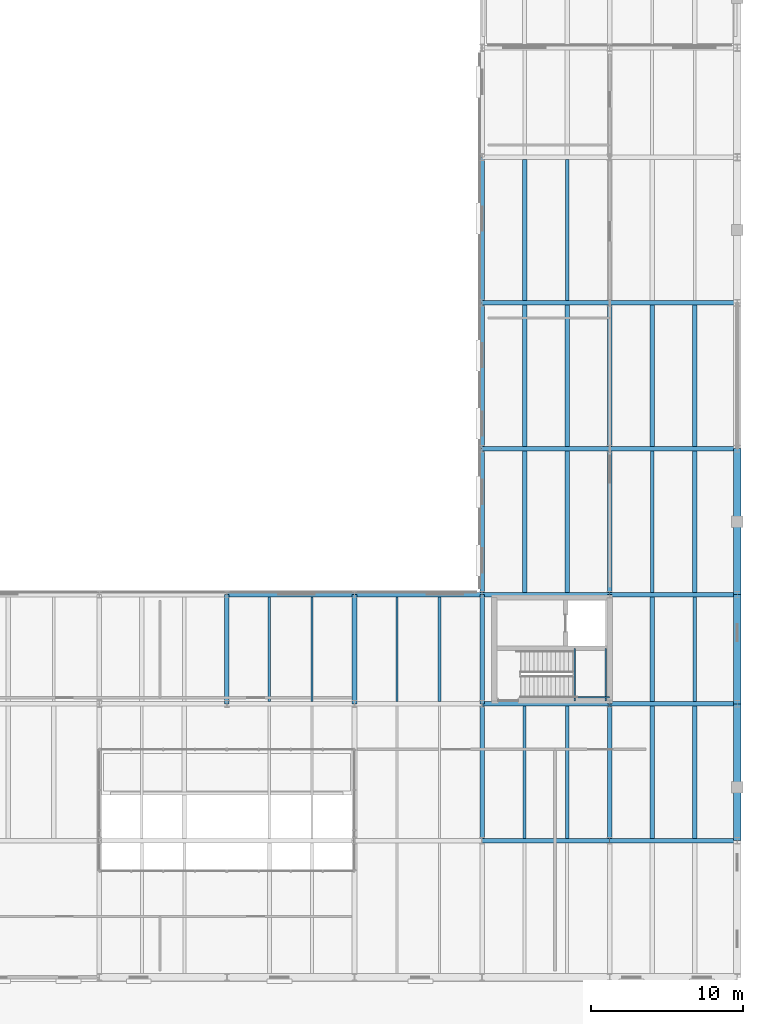
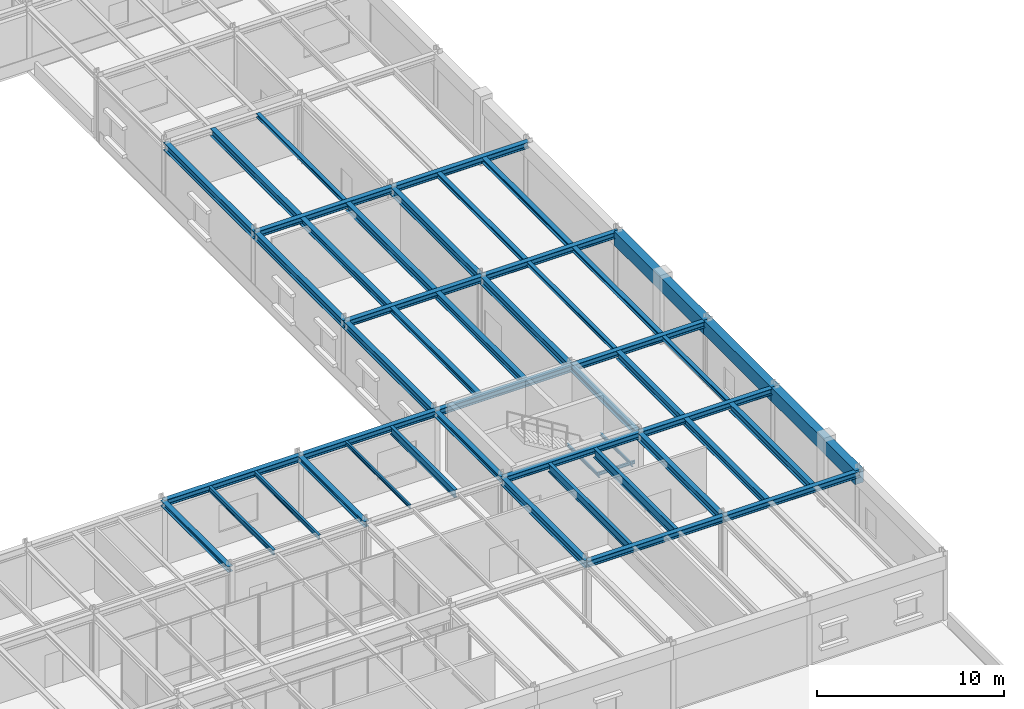
# One storey, part 33 of 64: 49 beams.
"""IFC4 building model written with IfcOpenShell, lengths in metres."""

from ifc_helpers import new_model, si_unit, direction, frame, origin, origin_2d, place, context, subcontext, project, spatial, rectangle, i_section, extrude, material, material_profile, profile_set, type_object, element, save


model = new_model("IFC4")

# Units and contexts
model_context = context("Model", 3, precision=1e-05, world=origin(), true_north=direction((0.0, 1.0)))
body_context = subcontext(model_context, "Body", "Model", "MODEL_VIEW")
ifc_project = project(units=[si_unit("LENGTHUNIT", "METRE"), si_unit("AREAUNIT", "SQUARE_METRE"), si_unit("VOLUMEUNIT", "CUBIC_METRE"), si_unit("PLANEANGLEUNIT", "RADIAN"), si_unit("MASSUNIT", "GRAM", prefix="KILO")], contexts=[model_context])

# Site, building, storey
site_placement = place(None, origin())
site = spatial("IfcSite", under=ifc_project, at=site_placement, CompositionType="ELEMENT")
building_placement = place(site_placement, origin())
building = spatial("IfcBuilding", under=site, at=building_placement, Name="Montealbar Specialist Clinic", CompositionType="ELEMENT")
storey_placement = place(building_placement, frame((0.0, 0.0, 5.10009765625)))
storey = spatial("IfcBuildingStorey", under=building, at=storey_placement, Name="L01", CompositionType="ELEMENT", Elevation=5.10009765625)

# Beams
ifc_material_1 = material(Name="Precast concrete C40/50", Category="concrete")
ifc_material_profile_1 = material_profile(ifc_material_1, rectangle(XDim=0.5, YDim=0.89990234375, at=origin_2d()), Name="PRECAST CORNICE 500x900", Category="concrete")
ifc_profile_set_1 = profile_set([ifc_material_profile_1], Name="Precast concrete C40/50")
beam_type_1 = type_object("IfcBeamType", Name="BM-CORNICE-PM900-EXT", PredefinedType="SPANDREL", material=ifc_profile_set_1)
beam_1_placement = place(storey_placement, frame((162.0, 36.0, 3.77001953125), z_axis=(0.0, 1.0, 0.0), x_axis=(-1.0, 0.0, 0.0)))
element("IfcBeam", 1, at=beam_1_placement, inside=storey, type_object=beam_type_1, Name="Postmodern Entablature Cornice L01 X=162.0 Y=36.0-45.0", PredefinedType="SPANDREL", context=body_context, shape_type="SweptSolid", body=[
    extrude(rectangle(XDim=0.5, YDim=0.89990234375, at=origin_2d()), origin(), (0.0, 0.0, 1.0), 9.0),
])
beam_2_placement = place(storey_placement, frame((162.0, 45.0, 3.77001953125), z_axis=(0.0, 1.0, 0.0), x_axis=(-1.0, 0.0, 0.0)))
element("IfcBeam", 2, at=beam_2_placement, inside=storey, type_object=beam_type_1, Name="Postmodern Entablature Cornice L01 X=162.0 Y=45.0-52.2", PredefinedType="SPANDREL", context=body_context, shape_type="SweptSolid", body=[
    extrude(rectangle(XDim=0.5, YDim=0.89990234375, at=origin_2d()), origin(), (0.0, 0.0, 1.0), 7.199951171875),
])
beam_3_placement = place(storey_placement, frame((162.0, 52.199951171875, 3.77001953125), z_axis=(0.0, 1.0, 0.0), x_axis=(-1.0, 0.0, 0.0)))
element("IfcBeam", 3, at=beam_3_placement, inside=storey, type_object=beam_type_1, Name="Postmodern Entablature Cornice L01 X=162.0 Y=52.2-61.8", PredefinedType="SPANDREL", context=body_context, shape_type="SweptSolid", body=[
    extrude(rectangle(XDim=0.5, YDim=0.89990234375, at=origin_2d()), origin(), (0.0, 0.0, 1.0), 9.60009765625),
])
ifc_material_2 = material(Name="Steel S355", Category="steel")
ifc_material_profile_2 = material_profile(ifc_material_2, i_section(OverallWidth=0.300048828125, OverallDepth=0.360107421875, WebThickness=0.012451171875, FlangeThickness=0.0224609375, FilletRadius=0.027099609375, at=origin_2d()), Name="HEB 360", Category="steel")
ifc_profile_set_2 = profile_set([ifc_material_profile_2], Name="Steel S355")
beam_type_2 = type_object("IfcBeamType", Name="BM-GIRD-HEB360", PredefinedType="BEAM", material=ifc_profile_set_2)
for number, where, z_axis, x_axis, name in (
    (4, (136.800048828125, 45.0, 4.039794921875), (0.0, 1.0, 0.0), (-1.0, 0.0, 0.0), "Beam GY-L01-1368-450-522"),
    (5, (145.199951171875, 45.0, 4.039794921875), (0.0, 1.0, 0.0), (-1.0, 0.0, 0.0), "Beam GY-L01-1452-450-522"),
    (6, (153.60009765625, 45.0, 4.039794921875), (0.0, 1.0, 0.0), (-1.0, 0.0, 0.0), "Beam GY-L01-1536-450-522"),
):
    element("IfcBeam", number, at=place(storey_placement, frame(where, z_axis=z_axis, x_axis=x_axis)), inside=storey, type_object=beam_type_2, Name=name, PredefinedType="BEAM", context=body_context, shape_type="SweptSolid", body=[
        extrude(i_section(OverallWidth=0.300048828125, OverallDepth=0.360107421875, WebThickness=0.012451171875, FlangeThickness=0.0224609375, FilletRadius=0.027099609375, at=origin_2d()), origin(), (0.0, 0.0, 1.0), 7.199951171875),
    ])
ifc_material_profile_3 = material_profile(ifc_material_2, i_section(OverallWidth=0.300048828125, OverallDepth=0.360107421875, WebThickness=0.012451171875, FlangeThickness=0.0224609375, FilletRadius=0.027099609375, at=origin_2d()), Name="HEB 360", Category="steel")
ifc_profile_set_3 = profile_set([ifc_material_profile_3], Name="Steel S355")
beam_type_3 = type_object("IfcBeamType", Name="BM-GIRD-HEB360-EXT", PredefinedType="BEAM", material=ifc_profile_set_3)
beam_4_placement = place(storey_placement, frame((128.39990234375, 45.0, 4.039794921875), z_axis=(0.0, 1.0, 0.0), x_axis=(-1.0, 0.0, 0.0)))
element("IfcBeam", 7, at=beam_4_placement, inside=storey, type_object=beam_type_3, Name="Beam GY-L01-1284-450-522", PredefinedType="BEAM", context=body_context, shape_type="SweptSolid", body=[
    extrude(i_section(OverallWidth=0.300048828125, OverallDepth=0.360107421875, WebThickness=0.012451171875, FlangeThickness=0.0224609375, FilletRadius=0.027099609375, at=origin_2d()), origin(), (0.0, 0.0, 1.0), 7.199951171875),
])
ifc_material_profile_4 = material_profile(ifc_material_2, i_section(OverallWidth=0.300048828125, OverallDepth=0.39990234375, WebThickness=0.013427734375, FlangeThickness=0.02392578125, FilletRadius=0.027099609375, at=origin_2d()), Name="HEB 400", Category="steel")
ifc_profile_set_4 = profile_set([ifc_material_profile_4], Name="Steel S355")
beam_type_4 = type_object("IfcBeamType", Name="BM-GIRD-HEB400", PredefinedType="BEAM", material=ifc_profile_set_4)
beam_5_placement = place(storey_placement, frame((145.199951171875, 36.0, 4.02001953125), z_axis=(1.0, 0.0, 0.0), x_axis=(0.0, 1.0, 0.0)))
element("IfcBeam", 8, at=beam_5_placement, inside=storey, type_object=beam_type_4, Name="Beam GX-L01-1452-1536-360", PredefinedType="BEAM", context=body_context, shape_type="SweptSolid", body=[
    extrude(i_section(OverallWidth=0.300048828125, OverallDepth=0.39990234375, WebThickness=0.013427734375, FlangeThickness=0.02392578125, FilletRadius=0.027099609375, at=origin_2d()), origin(), (0.0, 0.0, 1.0), 8.400146484375),
])
beam_6_placement = place(storey_placement, frame((153.60009765625, 36.0, 4.02001953125), z_axis=(1.0, 0.0, 0.0), x_axis=(0.0, 1.0, 0.0)))
element("IfcBeam", 9, at=beam_6_placement, inside=storey, type_object=beam_type_4, Name="Beam GX-L01-1536-1620-360", PredefinedType="BEAM", context=body_context, shape_type="SweptSolid", body=[
    extrude(i_section(OverallWidth=0.300048828125, OverallDepth=0.39990234375, WebThickness=0.013427734375, FlangeThickness=0.02392578125, FilletRadius=0.027099609375, at=origin_2d()), origin(), (0.0, 0.0, 1.0), 8.39990234375),
])
beam_7_placement = place(storey_placement, frame((145.199951171875, 45.0, 4.02001953125), z_axis=(1.0, 0.0, 0.0), x_axis=(0.0, 1.0, 0.0)))
element("IfcBeam", 10, at=beam_7_placement, inside=storey, type_object=beam_type_4, Name="Beam GX-L01-1452-1536-450", PredefinedType="BEAM", context=body_context, shape_type="SweptSolid", body=[
    extrude(i_section(OverallWidth=0.300048828125, OverallDepth=0.39990234375, WebThickness=0.013427734375, FlangeThickness=0.02392578125, FilletRadius=0.027099609375, at=origin_2d()), origin(), (0.0, 0.0, 1.0), 8.400146484375),
])
beam_8_placement = place(storey_placement, frame((153.60009765625, 45.0, 4.02001953125), z_axis=(1.0, 0.0, 0.0), x_axis=(0.0, 1.0, 0.0)))
element("IfcBeam", 11, at=beam_8_placement, inside=storey, type_object=beam_type_4, Name="Beam GX-L01-1536-1620-450", PredefinedType="BEAM", context=body_context, shape_type="SweptSolid", body=[
    extrude(i_section(OverallWidth=0.300048828125, OverallDepth=0.39990234375, WebThickness=0.013427734375, FlangeThickness=0.02392578125, FilletRadius=0.027099609375, at=origin_2d()), origin(), (0.0, 0.0, 1.0), 8.39990234375),
])
beam_9_placement = place(storey_placement, frame((145.199951171875, 52.199951171875, 4.02001953125), z_axis=(1.0, 0.0, 0.0), x_axis=(0.0, 1.0, 0.0)))
element("IfcBeam", 12, at=beam_9_placement, inside=storey, type_object=beam_type_4, Name="Beam GX-L01-1452-1536-522", PredefinedType="BEAM", context=body_context, shape_type="SweptSolid", body=[
    extrude(i_section(OverallWidth=0.300048828125, OverallDepth=0.39990234375, WebThickness=0.013427734375, FlangeThickness=0.02392578125, FilletRadius=0.027099609375, at=origin_2d()), origin(), (0.0, 0.0, 1.0), 8.400146484375),
])
beam_10_placement = place(storey_placement, frame((153.60009765625, 52.199951171875, 4.02001953125), z_axis=(1.0, 0.0, 0.0), x_axis=(0.0, 1.0, 0.0)))
element("IfcBeam", 13, at=beam_10_placement, inside=storey, type_object=beam_type_4, Name="Beam GX-L01-1536-1620-522", PredefinedType="BEAM", context=body_context, shape_type="SweptSolid", body=[
    extrude(i_section(OverallWidth=0.300048828125, OverallDepth=0.39990234375, WebThickness=0.013427734375, FlangeThickness=0.02392578125, FilletRadius=0.027099609375, at=origin_2d()), origin(), (0.0, 0.0, 1.0), 8.39990234375),
])
beam_11_placement = place(storey_placement, frame((145.199951171875, 61.800048828125, 4.02001953125), z_axis=(1.0, 0.0, 0.0), x_axis=(0.0, 1.0, 0.0)))
element("IfcBeam", 14, at=beam_11_placement, inside=storey, type_object=beam_type_4, Name="Beam GX-L01-1452-1536-618", PredefinedType="BEAM", context=body_context, shape_type="SweptSolid", body=[
    extrude(i_section(OverallWidth=0.300048828125, OverallDepth=0.39990234375, WebThickness=0.013427734375, FlangeThickness=0.02392578125, FilletRadius=0.027099609375, at=origin_2d()), origin(), (0.0, 0.0, 1.0), 8.400146484375),
])
beam_12_placement = place(storey_placement, frame((153.60009765625, 61.800048828125, 4.02001953125), z_axis=(1.0, 0.0, 0.0), x_axis=(0.0, 1.0, 0.0)))
element("IfcBeam", 15, at=beam_12_placement, inside=storey, type_object=beam_type_4, Name="Beam GX-L01-1536-1620-618", PredefinedType="BEAM", context=body_context, shape_type="SweptSolid", body=[
    extrude(i_section(OverallWidth=0.300048828125, OverallDepth=0.39990234375, WebThickness=0.013427734375, FlangeThickness=0.02392578125, FilletRadius=0.027099609375, at=origin_2d()), origin(), (0.0, 0.0, 1.0), 8.39990234375),
])
beam_13_placement = place(storey_placement, frame((145.199951171875, 71.39990234375, 4.02001953125), z_axis=(1.0, 0.0, 0.0), x_axis=(0.0, 1.0, 0.0)))
element("IfcBeam", 16, at=beam_13_placement, inside=storey, type_object=beam_type_4, Name="Beam GX-L01-1452-1536-714", PredefinedType="BEAM", context=body_context, shape_type="SweptSolid", body=[
    extrude(i_section(OverallWidth=0.300048828125, OverallDepth=0.39990234375, WebThickness=0.013427734375, FlangeThickness=0.02392578125, FilletRadius=0.027099609375, at=origin_2d()), origin(), (0.0, 0.0, 1.0), 8.400146484375),
])
beam_14_placement = place(storey_placement, frame((153.60009765625, 71.39990234375, 4.02001953125), z_axis=(1.0, 0.0, 0.0), x_axis=(0.0, 1.0, 0.0)))
element("IfcBeam", 17, at=beam_14_placement, inside=storey, type_object=beam_type_4, Name="Beam GX-L01-1536-1620-714", PredefinedType="BEAM", context=body_context, shape_type="SweptSolid", body=[
    extrude(i_section(OverallWidth=0.300048828125, OverallDepth=0.39990234375, WebThickness=0.013427734375, FlangeThickness=0.02392578125, FilletRadius=0.027099609375, at=origin_2d()), origin(), (0.0, 0.0, 1.0), 8.39990234375),
])
ifc_material_profile_5 = material_profile(ifc_material_2, i_section(OverallWidth=0.300048828125, OverallDepth=0.39990234375, WebThickness=0.013427734375, FlangeThickness=0.02392578125, FilletRadius=0.027099609375, at=origin_2d()), Name="HEB 400", Category="steel")
ifc_profile_set_5 = profile_set([ifc_material_profile_5], Name="Steel S355")
beam_type_5 = type_object("IfcBeamType", Name="BM-GIRD-HEB400-EXT", PredefinedType="BEAM", material=ifc_profile_set_5)
beam_15_placement = place(storey_placement, frame((128.39990234375, 52.199951171875, 4.02001953125), z_axis=(1.0, 0.0, 0.0), x_axis=(0.0, 1.0, 0.0)))
element("IfcBeam", 18, at=beam_15_placement, inside=storey, type_object=beam_type_5, Name="Beam GX-L01-1284-1368-522", PredefinedType="BEAM", context=body_context, shape_type="SweptSolid", body=[
    extrude(i_section(OverallWidth=0.300048828125, OverallDepth=0.39990234375, WebThickness=0.013427734375, FlangeThickness=0.02392578125, FilletRadius=0.027099609375, at=origin_2d()), origin(), (0.0, 0.0, 1.0), 8.400146484375),
])
beam_16_placement = place(storey_placement, frame((136.800048828125, 52.199951171875, 4.02001953125), z_axis=(1.0, 0.0, 0.0), x_axis=(0.0, 1.0, 0.0)))
element("IfcBeam", 19, at=beam_16_placement, inside=storey, type_object=beam_type_5, Name="Beam GX-L01-1368-1452-522", PredefinedType="BEAM", context=body_context, shape_type="SweptSolid", body=[
    extrude(i_section(OverallWidth=0.300048828125, OverallDepth=0.39990234375, WebThickness=0.013427734375, FlangeThickness=0.02392578125, FilletRadius=0.027099609375, at=origin_2d()), origin(), (0.0, 0.0, 1.0), 8.39990234375),
])
ifc_material_profile_6 = material_profile(ifc_material_2, i_section(OverallWidth=0.300048828125, OverallDepth=0.5, WebThickness=0.014404296875, FlangeThickness=0.028076171875, FilletRadius=0.027099609375, at=origin_2d()), Name="HEB 500", Category="steel")
ifc_profile_set_6 = profile_set([ifc_material_profile_6], Name="Steel S355")
beam_type_6 = type_object("IfcBeamType", Name="BM-GIRD-HEB500", PredefinedType="BEAM", material=ifc_profile_set_6)
for number, where, z_axis, x_axis, name in (
    (20, (145.199951171875, 36.0, 3.969970703125), (0.0, 1.0, 0.0), (-1.0, 0.0, 0.0), "Beam GY-L01-1452-360-450"),
    (21, (153.60009765625, 36.0, 3.969970703125), (0.0, 1.0, 0.0), (-1.0, 0.0, 0.0), "Beam GY-L01-1536-360-450"),
):
    element("IfcBeam", number, at=place(storey_placement, frame(where, z_axis=z_axis, x_axis=x_axis)), inside=storey, type_object=beam_type_6, Name=name, PredefinedType="BEAM", context=body_context, shape_type="SweptSolid", body=[
        extrude(i_section(OverallWidth=0.300048828125, OverallDepth=0.5, WebThickness=0.014404296875, FlangeThickness=0.028076171875, FilletRadius=0.027099609375, at=origin_2d()), origin(), (0.0, 0.0, 1.0), 9.0),
    ])
beam_17_placement = place(storey_placement, frame((153.60009765625, 52.199951171875, 3.969970703125), z_axis=(0.0, 1.0, 0.0), x_axis=(-1.0, 0.0, 0.0)))
element("IfcBeam", 22, at=beam_17_placement, inside=storey, type_object=beam_type_6, Name="Beam GY-L01-1536-522-618", PredefinedType="BEAM", context=body_context, shape_type="SweptSolid", body=[
    extrude(i_section(OverallWidth=0.300048828125, OverallDepth=0.5, WebThickness=0.014404296875, FlangeThickness=0.028076171875, FilletRadius=0.027099609375, at=origin_2d()), origin(), (0.0, 0.0, 1.0), 9.60009765625),
])
beam_18_placement = place(storey_placement, frame((153.60009765625, 61.800048828125, 3.969970703125), z_axis=(0.0, 1.0, 0.0), x_axis=(-1.0, 0.0, 0.0)))
element("IfcBeam", 23, at=beam_18_placement, inside=storey, type_object=beam_type_6, Name="Beam GY-L01-1536-618-714", PredefinedType="BEAM", context=body_context, shape_type="SweptSolid", body=[
    extrude(i_section(OverallWidth=0.300048828125, OverallDepth=0.5, WebThickness=0.014404296875, FlangeThickness=0.028076171875, FilletRadius=0.027099609375, at=origin_2d()), origin(), (0.0, 0.0, 1.0), 9.599853515625),
])
ifc_material_profile_7 = material_profile(ifc_material_2, i_section(OverallWidth=0.300048828125, OverallDepth=0.5, WebThickness=0.014404296875, FlangeThickness=0.028076171875, FilletRadius=0.027099609375, at=origin_2d()), Name="HEB 500", Category="steel")
ifc_profile_set_7 = profile_set([ifc_material_profile_7], Name="Steel S355")
beam_type_7 = type_object("IfcBeamType", Name="BM-GIRD-HEB500-EXT", PredefinedType="BEAM", material=ifc_profile_set_7)
beam_19_placement = place(storey_placement, frame((145.199951171875, 52.199951171875, 3.969970703125), z_axis=(0.0, 1.0, 0.0), x_axis=(-1.0, 0.0, 0.0)))
element("IfcBeam", 24, at=beam_19_placement, inside=storey, type_object=beam_type_7, Name="Beam GY-L01-1452-522-618", PredefinedType="BEAM", context=body_context, shape_type="SweptSolid", body=[
    extrude(i_section(OverallWidth=0.300048828125, OverallDepth=0.5, WebThickness=0.014404296875, FlangeThickness=0.028076171875, FilletRadius=0.027099609375, at=origin_2d()), origin(), (0.0, 0.0, 1.0), 9.60009765625),
])
beam_20_placement = place(storey_placement, frame((145.199951171875, 61.800048828125, 3.969970703125), z_axis=(0.0, 1.0, 0.0), x_axis=(-1.0, 0.0, 0.0)))
element("IfcBeam", 25, at=beam_20_placement, inside=storey, type_object=beam_type_7, Name="Beam GY-L01-1452-618-714", PredefinedType="BEAM", context=body_context, shape_type="SweptSolid", body=[
    extrude(i_section(OverallWidth=0.300048828125, OverallDepth=0.5, WebThickness=0.014404296875, FlangeThickness=0.028076171875, FilletRadius=0.027099609375, at=origin_2d()), origin(), (0.0, 0.0, 1.0), 9.599853515625),
])
beam_21_placement = place(storey_placement, frame((145.199951171875, 71.39990234375, 3.969970703125), z_axis=(0.0, 1.0, 0.0), x_axis=(-1.0, 0.0, 0.0)))
element("IfcBeam", 26, at=beam_21_placement, inside=storey, type_object=beam_type_7, Name="Beam GY-L01-1452-714-810", PredefinedType="BEAM", context=body_context, shape_type="SweptSolid", body=[
    extrude(i_section(OverallWidth=0.300048828125, OverallDepth=0.5, WebThickness=0.014404296875, FlangeThickness=0.028076171875, FilletRadius=0.027099609375, at=origin_2d()), origin(), (0.0, 0.0, 1.0), 9.60009765625),
])
ifc_material_profile_8 = material_profile(ifc_material_2, i_section(OverallWidth=0.300048828125, OverallDepth=0.35009765625, WebThickness=0.010009765625, FlangeThickness=0.017578125, FilletRadius=0.027099609375, at=origin_2d()), Name="HEA 360", Category="steel")
ifc_profile_set_8 = profile_set([ifc_material_profile_8], Name="Steel S355")
beam_type_8 = type_object("IfcBeamType", Name="BM-JST-HEA360", PredefinedType="JOIST", material=ifc_profile_set_8)
beam_22_placement = place(storey_placement, frame((148.0, 52.35009765625, 4.044921875), z_axis=(0.0, 1.0, 0.0), x_axis=(-1.0, 0.0, 0.0)))
element("IfcBeam", 27, at=beam_22_placement, inside=storey, type_object=beam_type_8, Name="Beam JST-L01-1480-524-616", PredefinedType="JOIST", context=body_context, shape_type="SweptSolid", body=[
    extrude(i_section(OverallWidth=0.300048828125, OverallDepth=0.35009765625, WebThickness=0.010009765625, FlangeThickness=0.017578125, FilletRadius=0.027099609375, at=origin_2d()), origin(), (0.0, 0.0, 1.0), 9.2998046875),
])
ifc_material_profile_9 = material_profile(ifc_material_2, i_section(OverallWidth=0.300048828125, OverallDepth=0.43994140625, WebThickness=0.011474609375, FlangeThickness=0.02099609375, FilletRadius=0.027099609375, at=origin_2d()), Name="HEA 450", Category="steel")
ifc_profile_set_9 = profile_set([ifc_material_profile_9], Name="Steel S355")
beam_type_9 = type_object("IfcBeamType", Name="BM-JST-HEA450", PredefinedType="JOIST", material=ifc_profile_set_9)
beam_23_placement = place(storey_placement, frame((150.800048828125, 52.35009765625, 4.0), z_axis=(0.0, 1.0, 0.0), x_axis=(-1.0, 0.0, 0.0)))
element("IfcBeam", 28, at=beam_23_placement, inside=storey, type_object=beam_type_9, Name="Beam JST-L01-1508-524-616", PredefinedType="JOIST", context=body_context, shape_type="SweptSolid", body=[
    extrude(i_section(OverallWidth=0.300048828125, OverallDepth=0.43994140625, WebThickness=0.011474609375, FlangeThickness=0.02099609375, FilletRadius=0.027099609375, at=origin_2d()), origin(), (0.0, 0.0, 1.0), 9.2998046875),
])
beam_24_placement = place(storey_placement, frame((148.0, 61.949951171875, 4.0), z_axis=(0.0, 1.0, 0.0), x_axis=(-1.0, 0.0, 0.0)))
element("IfcBeam", 29, at=beam_24_placement, inside=storey, type_object=beam_type_9, Name="Beam JST-L01-1480-620-712", PredefinedType="JOIST", context=body_context, shape_type="SweptSolid", body=[
    extrude(i_section(OverallWidth=0.300048828125, OverallDepth=0.43994140625, WebThickness=0.011474609375, FlangeThickness=0.02099609375, FilletRadius=0.027099609375, at=origin_2d()), origin(), (0.0, 0.0, 1.0), 9.300048828125),
])
beam_25_placement = place(storey_placement, frame((156.39990234375, 36.14990234375, 4.0), z_axis=(0.0, 1.0, 0.0), x_axis=(-1.0, 0.0, 0.0)))
element("IfcBeam", 30, at=beam_25_placement, inside=storey, type_object=beam_type_9, Name="Beam JST-L01-1564-362-448", PredefinedType="JOIST", context=body_context, shape_type="SweptSolid", body=[
    extrude(i_section(OverallWidth=0.300048828125, OverallDepth=0.43994140625, WebThickness=0.011474609375, FlangeThickness=0.02099609375, FilletRadius=0.027099609375, at=origin_2d()), origin(), (0.0, 0.0, 1.0), 8.7001953125),
])
ifc_material_profile_10 = material_profile(ifc_material_2, i_section(OverallWidth=0.300048828125, OverallDepth=0.489990234375, WebThickness=0.011962890625, FlangeThickness=0.02294921875, FilletRadius=0.027099609375, at=origin_2d()), Name="HEA 500", Category="steel")
ifc_profile_set_10 = profile_set([ifc_material_profile_10], Name="Steel S355")
beam_type_10 = type_object("IfcBeamType", Name="BM-JST-HEA500", PredefinedType="JOIST", material=ifc_profile_set_10)
for number, where, z_axis, x_axis, name in (
    (31, (150.800048828125, 61.949951171875, 3.974853515625), (0.0, 1.0, 0.0), (-1.0, 0.0, 0.0), "Beam JST-L01-1508-620-712"),
    (32, (148.0, 71.550048828125, 3.974853515625), (0.0, 1.0, 0.0), (-1.0, 0.0, 0.0), "Beam JST-L01-1480-716-808"),
):
    element("IfcBeam", number, at=place(storey_placement, frame(where, z_axis=z_axis, x_axis=x_axis)), inside=storey, type_object=beam_type_10, Name=name, PredefinedType="JOIST", context=body_context, shape_type="SweptSolid", body=[
        extrude(i_section(OverallWidth=0.300048828125, OverallDepth=0.489990234375, WebThickness=0.011962890625, FlangeThickness=0.02294921875, FilletRadius=0.027099609375, at=origin_2d()), origin(), (0.0, 0.0, 1.0), 9.300048828125),
    ])
beam_26_placement = place(storey_placement, frame((159.199951171875, 36.14990234375, 3.974853515625), z_axis=(0.0, 1.0, 0.0), x_axis=(-1.0, 0.0, 0.0)))
element("IfcBeam", 33, at=beam_26_placement, inside=storey, type_object=beam_type_10, Name="Beam JST-L01-1592-362-448", PredefinedType="JOIST", context=body_context, shape_type="SweptSolid", body=[
    extrude(i_section(OverallWidth=0.300048828125, OverallDepth=0.489990234375, WebThickness=0.011962890625, FlangeThickness=0.02294921875, FilletRadius=0.027099609375, at=origin_2d()), origin(), (0.0, 0.0, 1.0), 8.7001953125),
])
beam_27_placement = place(storey_placement, frame((156.39990234375, 45.14990234375, 3.974853515625), z_axis=(0.0, 1.0, 0.0), x_axis=(-1.0, 0.0, 0.0)))
element("IfcBeam", 34, at=beam_27_placement, inside=storey, type_object=beam_type_10, Name="Beam JST-L01-1564-452-520", PredefinedType="JOIST", context=body_context, shape_type="SweptSolid", body=[
    extrude(i_section(OverallWidth=0.300048828125, OverallDepth=0.489990234375, WebThickness=0.011962890625, FlangeThickness=0.02294921875, FilletRadius=0.027099609375, at=origin_2d()), origin(), (0.0, 0.0, 1.0), 6.900146484375),
])
ifc_material_profile_11 = material_profile(ifc_material_2, i_section(OverallWidth=0.239990234375, OverallDepth=0.239990234375, WebThickness=0.010009765625, FlangeThickness=0.01708984375, FilletRadius=0.02099609375, at=origin_2d()), Name="HEB 240", Category="steel")
ifc_profile_set_11 = profile_set([ifc_material_profile_11], Name="Steel S355")
beam_type_11 = type_object("IfcBeamType", Name="BM-JST-HEB240", PredefinedType="JOIST", material=ifc_profile_set_11)
beam_28_placement = place(storey_placement, frame((150.800048828125, 71.550048828125, 4.099853515625), z_axis=(0.0, 1.0, 0.0), x_axis=(-1.0, 0.0, 0.0)))
element("IfcBeam", 35, at=beam_28_placement, inside=storey, type_object=beam_type_11, Name="Beam JST-L01-1508-716-808", PredefinedType="JOIST", context=body_context, shape_type="SweptSolid", body=[
    extrude(i_section(OverallWidth=0.239990234375, OverallDepth=0.239990234375, WebThickness=0.010009765625, FlangeThickness=0.01708984375, FilletRadius=0.02099609375, at=origin_2d()), origin(), (0.0, 0.0, 1.0), 9.300048828125),
])
beam_29_placement = place(storey_placement, frame((159.199951171875, 45.14990234375, 4.099853515625), z_axis=(0.0, 1.0, 0.0), x_axis=(-1.0, 0.0, 0.0)))
element("IfcBeam", 36, at=beam_29_placement, inside=storey, type_object=beam_type_11, Name="Beam JST-L01-1592-452-520", PredefinedType="JOIST", context=body_context, shape_type="SweptSolid", body=[
    extrude(i_section(OverallWidth=0.239990234375, OverallDepth=0.239990234375, WebThickness=0.010009765625, FlangeThickness=0.01708984375, FilletRadius=0.02099609375, at=origin_2d()), origin(), (0.0, 0.0, 1.0), 6.900146484375),
])
beam_30_placement = place(storey_placement, frame((156.39990234375, 52.35009765625, 4.099853515625), z_axis=(0.0, 1.0, 0.0), x_axis=(-1.0, 0.0, 0.0)))
element("IfcBeam", 37, at=beam_30_placement, inside=storey, type_object=beam_type_11, Name="Beam JST-L01-1564-524-616", PredefinedType="JOIST", context=body_context, shape_type="SweptSolid", body=[
    extrude(i_section(OverallWidth=0.239990234375, OverallDepth=0.239990234375, WebThickness=0.010009765625, FlangeThickness=0.01708984375, FilletRadius=0.02099609375, at=origin_2d()), origin(), (0.0, 0.0, 1.0), 9.2998046875),
])
ifc_material_profile_12 = material_profile(ifc_material_2, i_section(OverallWidth=0.280029296875, OverallDepth=0.280029296875, WebThickness=0.010498046875, FlangeThickness=0.01806640625, FilletRadius=0.02392578125, at=origin_2d()), Name="HEB 280", Category="steel")
ifc_profile_set_12 = profile_set([ifc_material_profile_12], Name="Steel S355")
beam_type_12 = type_object("IfcBeamType", Name="BM-JST-HEB280", PredefinedType="JOIST", material=ifc_profile_set_12)
beam_31_placement = place(storey_placement, frame((159.199951171875, 52.35009765625, 4.079833984375), z_axis=(0.0, 1.0, 0.0), x_axis=(-1.0, 0.0, 0.0)))
element("IfcBeam", 38, at=beam_31_placement, inside=storey, type_object=beam_type_12, Name="Beam JST-L01-1592-524-616", PredefinedType="JOIST", context=body_context, shape_type="SweptSolid", body=[
    extrude(i_section(OverallWidth=0.280029296875, OverallDepth=0.280029296875, WebThickness=0.010498046875, FlangeThickness=0.01806640625, FilletRadius=0.02392578125, at=origin_2d()), origin(), (0.0, 0.0, 1.0), 9.2998046875),
])
beam_32_placement = place(storey_placement, frame((156.39990234375, 61.949951171875, 4.079833984375), z_axis=(0.0, 1.0, 0.0), x_axis=(-1.0, 0.0, 0.0)))
element("IfcBeam", 39, at=beam_32_placement, inside=storey, type_object=beam_type_12, Name="Beam JST-L01-1564-620-712", PredefinedType="JOIST", context=body_context, shape_type="SweptSolid", body=[
    extrude(i_section(OverallWidth=0.280029296875, OverallDepth=0.280029296875, WebThickness=0.010498046875, FlangeThickness=0.01806640625, FilletRadius=0.02392578125, at=origin_2d()), origin(), (0.0, 0.0, 1.0), 9.300048828125),
])
ifc_material_profile_13 = material_profile(ifc_material_2, i_section(OverallWidth=0.300048828125, OverallDepth=0.320068359375, WebThickness=0.011474609375, FlangeThickness=0.0205078125, FilletRadius=0.027099609375, at=origin_2d()), Name="HEB 320", Category="steel")
ifc_profile_set_13 = profile_set([ifc_material_profile_13], Name="Steel S355")
beam_type_13 = type_object("IfcBeamType", Name="BM-JST-HEB320", PredefinedType="JOIST", material=ifc_profile_set_13)
beam_33_placement = place(storey_placement, frame((159.199951171875, 61.949951171875, 4.059814453125), z_axis=(0.0, 1.0, 0.0), x_axis=(-1.0, 0.0, 0.0)))
element("IfcBeam", 40, at=beam_33_placement, inside=storey, type_object=beam_type_13, Name="Beam JST-L01-1592-620-712", PredefinedType="JOIST", context=body_context, shape_type="SweptSolid", body=[
    extrude(i_section(OverallWidth=0.300048828125, OverallDepth=0.320068359375, WebThickness=0.011474609375, FlangeThickness=0.0205078125, FilletRadius=0.027099609375, at=origin_2d()), origin(), (0.0, 0.0, 1.0), 9.300048828125),
])
ifc_material_profile_14 = material_profile(ifc_material_2, i_section(OverallWidth=0.1201171875, OverallDepth=0.239990234375, WebThickness=0.006103515625, FlangeThickness=0.009765625, FilletRadius=0.014892578125, at=origin_2d()), Name="IPE 240", Category="steel")
ifc_profile_set_14 = profile_set([ifc_material_profile_14], Name="Steel S355")
beam_type_14 = type_object("IfcBeamType", Name="BM-JST-IPE240", PredefinedType="JOIST", material=ifc_profile_set_14)
beam_34_placement = place(storey_placement, frame((139.60009765625, 45.14990234375, 4.099853515625), z_axis=(0.0, 1.0, 0.0), x_axis=(-1.0, 0.0, 0.0)))
element("IfcBeam", 41, at=beam_34_placement, inside=storey, type_object=beam_type_14, Name="Beam JST-L01-1396-452-520", PredefinedType="JOIST", context=body_context, shape_type="SweptSolid", body=[
    extrude(i_section(OverallWidth=0.1201171875, OverallDepth=0.239990234375, WebThickness=0.006103515625, FlangeThickness=0.009765625, FilletRadius=0.014892578125, at=origin_2d()), origin(), (0.0, 0.0, 1.0), 6.900146484375),
])
ifc_material_profile_15 = material_profile(ifc_material_2, i_section(OverallWidth=0.14990234375, OverallDepth=0.300048828125, WebThickness=0.007080078125, FlangeThickness=0.0107421875, FilletRadius=0.014892578125, at=origin_2d()), Name="IPE 300", Category="steel")
ifc_profile_set_15 = profile_set([ifc_material_profile_15], Name="Steel S355")
beam_type_15 = type_object("IfcBeamType", Name="BM-JST-IPE300", PredefinedType="JOIST", material=ifc_profile_set_15)
beam_35_placement = place(storey_placement, frame((134.0, 45.14990234375, 4.06982421875), z_axis=(0.0, 1.0, 0.0), x_axis=(-1.0, 0.0, 0.0)))
element("IfcBeam", 42, at=beam_35_placement, inside=storey, type_object=beam_type_15, Name="Beam JST-L01-1340-452-520", PredefinedType="JOIST", context=body_context, shape_type="SweptSolid", body=[
    extrude(i_section(OverallWidth=0.14990234375, OverallDepth=0.300048828125, WebThickness=0.007080078125, FlangeThickness=0.0107421875, FilletRadius=0.014892578125, at=origin_2d()), origin(), (0.0, 0.0, 1.0), 6.900146484375),
])
ifc_material_profile_16 = material_profile(ifc_material_2, i_section(OverallWidth=0.159912109375, OverallDepth=0.330078125, WebThickness=0.007568359375, FlangeThickness=0.011474609375, FilletRadius=0.01806640625, at=origin_2d()), Name="IPE 330", Category="steel")
ifc_profile_set_16 = profile_set([ifc_material_profile_16], Name="Steel S355")
beam_type_16 = type_object("IfcBeamType", Name="BM-JST-IPE330", PredefinedType="JOIST", material=ifc_profile_set_16)
beam_36_placement = place(storey_placement, frame((131.199951171875, 45.14990234375, 4.054931640625), z_axis=(0.0, 1.0, 0.0), x_axis=(-1.0, 0.0, 0.0)))
element("IfcBeam", 43, at=beam_36_placement, inside=storey, type_object=beam_type_16, Name="Beam JST-L01-1312-452-520", PredefinedType="JOIST", context=body_context, shape_type="SweptSolid", body=[
    extrude(i_section(OverallWidth=0.159912109375, OverallDepth=0.330078125, WebThickness=0.007568359375, FlangeThickness=0.011474609375, FilletRadius=0.01806640625, at=origin_2d()), origin(), (0.0, 0.0, 1.0), 6.900146484375),
])
ifc_material_profile_17 = material_profile(ifc_material_2, i_section(OverallWidth=0.199951171875, OverallDepth=0.5, WebThickness=0.01025390625, FlangeThickness=0.01611328125, FilletRadius=0.02099609375, at=origin_2d()), Name="IPE 500", Category="steel")
ifc_profile_set_17 = profile_set([ifc_material_profile_17], Name="Steel S355")
beam_type_17 = type_object("IfcBeamType", Name="BM-JST-IPE500", PredefinedType="JOIST", material=ifc_profile_set_17)
beam_37_placement = place(storey_placement, frame((142.39990234375, 45.14990234375, 3.969970703125), z_axis=(0.0, 1.0, 0.0), x_axis=(-1.0, 0.0, 0.0)))
element("IfcBeam", 44, at=beam_37_placement, inside=storey, type_object=beam_type_17, Name="Beam JST-L01-1424-452-520", PredefinedType="JOIST", context=body_context, shape_type="SweptSolid", body=[
    extrude(i_section(OverallWidth=0.199951171875, OverallDepth=0.5, WebThickness=0.01025390625, FlangeThickness=0.01611328125, FilletRadius=0.02099609375, at=origin_2d()), origin(), (0.0, 0.0, 1.0), 6.900146484375),
])
ifc_material_profile_18 = material_profile(ifc_material_2, i_section(OverallWidth=0.2099609375, OverallDepth=0.550048828125, WebThickness=0.010986328125, FlangeThickness=0.01708984375, FilletRadius=0.02392578125, at=origin_2d()), Name="IPE 550", Category="steel")
ifc_profile_set_18 = profile_set([ifc_material_profile_18], Name="Steel S355")
beam_type_18 = type_object("IfcBeamType", Name="BM-JST-IPE550", PredefinedType="JOIST", material=ifc_profile_set_18)
beam_38_placement = place(storey_placement, frame((148.0, 36.14990234375, 3.94482421875), z_axis=(0.0, 1.0, 0.0), x_axis=(-1.0, 0.0, 0.0)))
element("IfcBeam", 45, at=beam_38_placement, inside=storey, type_object=beam_type_18, Name="Beam JST-L01-1480-362-448", PredefinedType="JOIST", context=body_context, shape_type="SweptSolid", body=[
    extrude(i_section(OverallWidth=0.2099609375, OverallDepth=0.550048828125, WebThickness=0.010986328125, FlangeThickness=0.01708984375, FilletRadius=0.02392578125, at=origin_2d()), origin(), (0.0, 0.0, 1.0), 8.7001953125),
])
ifc_material_profile_19 = material_profile(ifc_material_2, i_section(OverallWidth=0.219970703125, OverallDepth=0.60009765625, WebThickness=0.011962890625, FlangeThickness=0.01904296875, FilletRadius=0.02392578125, at=origin_2d()), Name="IPE 600", Category="steel")
ifc_profile_set_19 = profile_set([ifc_material_profile_19], Name="Steel S355")
beam_type_19 = type_object("IfcBeamType", Name="BM-JST-IPE600", PredefinedType="JOIST", material=ifc_profile_set_19)
beam_39_placement = place(storey_placement, frame((150.800048828125, 36.14990234375, 3.919921875), z_axis=(0.0, 1.0, 0.0), x_axis=(-1.0, 0.0, 0.0)))
element("IfcBeam", 46, at=beam_39_placement, inside=storey, type_object=beam_type_19, Name="Beam JST-L01-1508-362-448", PredefinedType="JOIST", context=body_context, shape_type="SweptSolid", body=[
    extrude(i_section(OverallWidth=0.219970703125, OverallDepth=0.60009765625, WebThickness=0.011962890625, FlangeThickness=0.01904296875, FilletRadius=0.02392578125, at=origin_2d()), origin(), (0.0, 0.0, 1.0), 8.7001953125),
])
ifc_material_profile_20 = material_profile(ifc_material_2, i_section(OverallWidth=0.10009765625, OverallDepth=0.199951171875, WebThickness=0.005615234375, FlangeThickness=0.008544921875, FilletRadius=0.011962890625, at=origin_2d()), Name="IPE 200", Category="steel")
ifc_profile_set_20 = profile_set([ifc_material_profile_20], Name="Steel S355")
beam_type_20 = type_object("IfcBeamType", Name="BM-LINT-IPE200", PredefinedType="LINTEL", material=ifc_profile_set_20)
for number, where, z_axis, x_axis, name in (
    (47, (151.2900390625, 45.199951171875, 1.949951171875), (0.0, 1.0, 0.0), (-1.0, 0.0, 0.0), "Core C6 Stair Landing Beam L01 W"),
    (48, (153.330078125, 45.199951171875, 1.949951171875), (0.0, 1.0, 0.0), (-1.0, 0.0, 0.0), "Core C6 Stair Landing Beam L01 E"),
):
    element("IfcBeam", number, at=place(storey_placement, frame(where, z_axis=z_axis, x_axis=x_axis)), inside=storey, type_object=beam_type_20, Name=name, PredefinedType="LINTEL", context=body_context, shape_type="SweptSolid", body=[
        extrude(i_section(OverallWidth=0.10009765625, OverallDepth=0.199951171875, WebThickness=0.005615234375, FlangeThickness=0.008544921875, FilletRadius=0.011962890625, at=origin_2d()), origin(), (0.0, 0.0, 1.0), 3.449951171875),
    ])
beam_40_placement = place(storey_placement, frame((151.2900390625, 45.449951171875, 1.949951171875), z_axis=(1.0, 0.0, 0.0), x_axis=(0.0, 1.0, 0.0)))
element("IfcBeam", 49, at=beam_40_placement, inside=storey, type_object=beam_type_20, Name="Core C6 Stair Landing Tie Beam L01", PredefinedType="LINTEL", context=body_context, shape_type="SweptSolid", body=[
    extrude(i_section(OverallWidth=0.10009765625, OverallDepth=0.199951171875, WebThickness=0.005615234375, FlangeThickness=0.008544921875, FilletRadius=0.011962890625, at=origin_2d()), origin(), (0.0, 0.0, 1.0), 2.31005859375),
])

save(model, "model.ifc")
